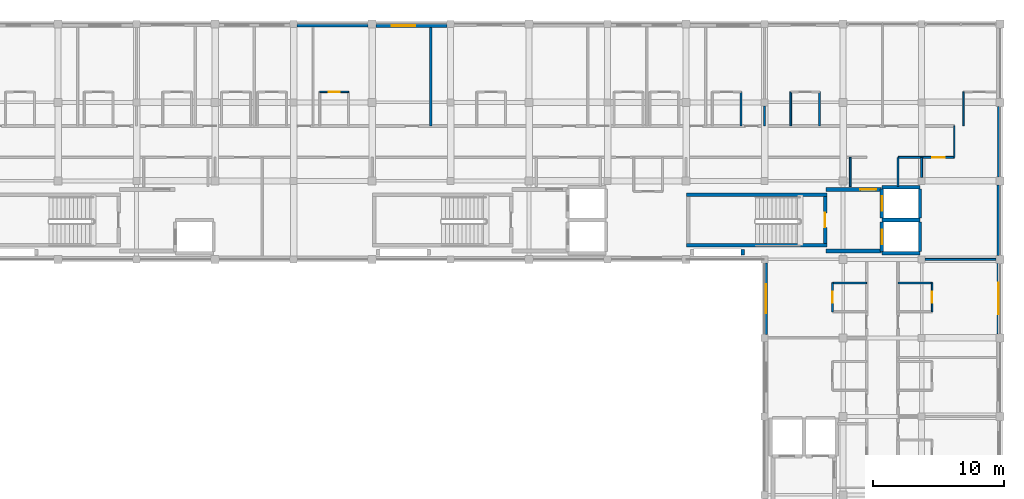
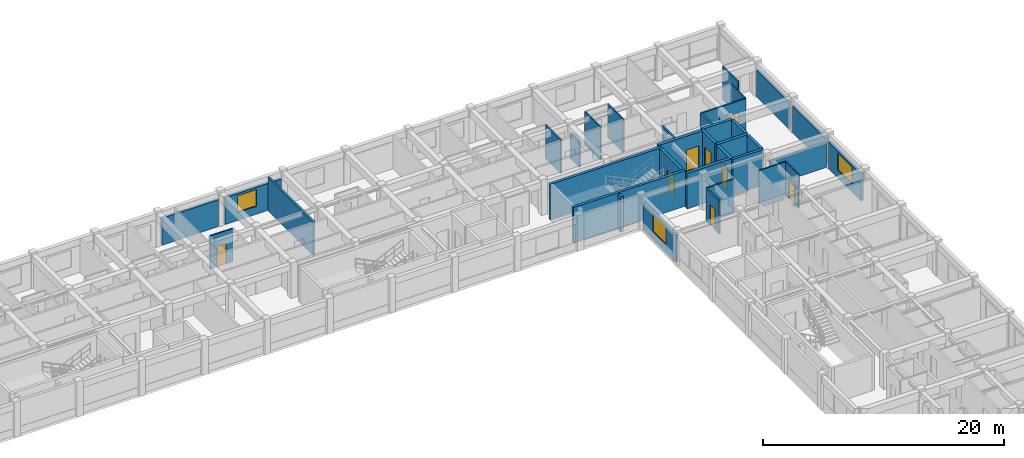
# One storey, part 17 of 25: 36 walls, 8 doors, 3 windows, 11 openings.
"""IFC4 building model written with IfcOpenShell, lengths in metres."""

from ifc_helpers import new_model, si_unit, direction, frame, frame_2d, origin, place, context, subcontext, project, spatial, rectangle, extrude, material, layer, layer_set, type_object, element, fill, save


model = new_model("IFC4")

# Units and contexts
model_context = context("Model", 3, precision=1e-05, world=origin(), true_north=direction((0.0, 1.0)))
body_context = subcontext(model_context, "Body", "Model", "MODEL_VIEW")
ifc_project = project(units=[si_unit("LENGTHUNIT", "METRE"), si_unit("AREAUNIT", "SQUARE_METRE"), si_unit("VOLUMEUNIT", "CUBIC_METRE"), si_unit("PLANEANGLEUNIT", "RADIAN"), si_unit("MASSUNIT", "GRAM", prefix="KILO"), si_unit("THERMODYNAMICTEMPERATUREUNIT", "KELVIN"), si_unit("POWERUNIT", "WATT")], contexts=[model_context])

# Site, building, storey
site_placement = place(None, origin())
site = spatial("IfcSite", under=ifc_project, at=site_placement, CompositionType="ELEMENT")
building_placement = place(site_placement, origin())
building = spatial("IfcBuilding", under=site, at=building_placement, Name="Phaisarnlok Congress Hotel", CompositionType="ELEMENT")
storey_placement = place(building_placement, frame((0.0, 0.0, 24.60009765625)))
storey = spatial("IfcBuildingStorey", under=building, at=storey_placement, Name="L05", CompositionType="ELEMENT", Elevation=24.60009765625)

# Wall
ifc_material_1 = material(Name="Concrete C40/50", Category="concrete")
ifc_layer_1 = layer(ifc_material_1, 0.2099609375, Name="Concrete C40/50")
ifc_layer_set_1 = layer_set([ifc_layer_1], Name="Concrete C40/50")
wall_type_1 = type_object("IfcWallType", Name="WL-EXT-210", PredefinedType="SOLIDWALL", material=ifc_layer_set_1)
wall_1_placement = place(storey_placement, frame((179.89501953125, 114.304931640625, 0.0), z_axis=(0.0, 0.0, 1.0), x_axis=(0.0, 1.0, 0.0)))
element("IfcWall", 1, at=wall_1_placement, inside=storey, type_object=wall_type_1, Name="Exterior wall EW-07 (L05)", PredefinedType="SOLIDWALL", context=body_context, shape_type="SweptSolid", body=[
    extrude(rectangle(XDim=5.39013671875, YDim=0.2099609375, at=frame_2d((2.695068359375, 0.0))), origin(), (0.0, 0.0, 1.0), 2.72998046875),
])

# Wall, opening, window
wall_2_placement = place(storey_placement, frame((162.10498046875, 107.719970703125, 0.0), z_axis=(0.0, 0.0, 1.0), x_axis=(0.0, -1.0, 0.0)))
wall_2 = element("IfcWall", 2, at=wall_2_placement, inside=storey, type_object=wall_type_1, Name="Exterior wall EW-07 (L05)", PredefinedType="SOLIDWALL", context=body_context, shape_type="SweptSolid", body=[
    extrude(rectangle(XDim=5.43994140625, YDim=0.2099609375, at=frame_2d((2.719970703125, 0.0))), origin(), (0.0, 0.0, 1.0), 2.72998046875),
])
opening_1_placement = place(wall_2_placement, frame((1.6201171875, 0.0, 0.800048828125)))
opening_1 = element("IfcOpeningElement", 3, at=opening_1_placement, cuts=wall_2, Name="Opening W-02", PredefinedType="OPENING", context=body_context, shape_type="SweptSolid", body=[
    extrude(rectangle(XDim=2.199951171875, YDim=1.75, at=frame_2d((1.10009765625, 0.875))), frame((0.0, 0.114990234375, 0.0), z_axis=(0.0, -1.0, 0.0), x_axis=(1.0, 0.0, 0.0)), (0.0, 0.0, 1.0), 0.22998046875),
])
ifc_material_2 = material(Name="Thermally Broken Aluminium & Low-E Double Glazing", Category="aluminium")
window_type_1 = type_object("IfcWindowType", Name="WIN-HOTEL-2200", PartitioningType="SINGLE_PANEL", PredefinedType="WINDOW", material=ifc_material_2)
window_1_placement = place(opening_1_placement, origin())
window_1 = element("IfcWindow", 4, at=window_1_placement, inside=storey, type_object=window_type_1, Name="Guestroom window W-02 (L05)", OverallHeight=1.75, OverallWidth=2.199951171875, PartitioningType="SINGLE_PANEL", PredefinedType="WINDOW", context=body_context, shape_type="SweptSolid", body=[
    extrude(rectangle(XDim=2.199951171875, YDim=1.75, at=frame_2d((1.10009765625, 0.875))), frame((0.0, 0.030029296875, 0.0), z_axis=(0.0, -1.0, 0.0), x_axis=(1.0, 0.0, 0.0)), (0.0, 0.0, 1.0), 0.06005859375),
])
fill(opening_1, window_1)

# Wall
ifc_layer_2 = layer(ifc_material_1, 0.22998046875, Name="Concrete C40/50")
ifc_layer_set_2 = layer_set([ifc_layer_2], Name="Concrete C40/50")
wall_type_2 = type_object("IfcWallType", Name="WL-EXT-230", PredefinedType="SOLIDWALL", material=ifc_layer_set_2)
wall_3_placement = place(storey_placement, frame((179.885009765625, 108.304931640625, 0.0), z_axis=(0.0, 0.0, 1.0), x_axis=(0.0, 1.0, 0.0)))
element("IfcWall", 5, at=wall_3_placement, inside=storey, type_object=wall_type_2, Name="Exterior wall EW-06 (L05)", PredefinedType="SOLIDWALL", context=body_context, shape_type="SweptSolid", body=[
    extrude(rectangle(XDim=5.39013671875, YDim=0.22998046875, at=frame_2d((2.695068359375, 0.0))), origin(), (0.0, 0.0, 1.0), 2.72998046875),
])

# Wall, opening, window
ifc_layer_3 = layer(ifc_material_1, 0.25, Name="Concrete C40/50")
ifc_layer_set_3 = layer_set([ifc_layer_3], Name="Concrete C40/50")
wall_type_3 = type_object("IfcWallType", Name="WL-EXT-250", PredefinedType="SOLIDWALL", material=ifc_layer_set_3)
wall_4_placement = place(storey_placement, frame((179.875, 102.304931640625, 0.0), z_axis=(0.0, 0.0, 1.0), x_axis=(0.0, 1.0, 0.0)))
wall_4 = element("IfcWall", 6, at=wall_4_placement, inside=storey, type_object=wall_type_3, Name="Exterior wall EW-05 (L05)", PredefinedType="SOLIDWALL", context=body_context, shape_type="SweptSolid", body=[
    extrude(rectangle(XDim=5.39013671875, YDim=0.25, at=frame_2d((2.695068359375, 0.0))), origin(), (0.0, 0.0, 1.0), 2.72998046875),
])
opening_2_placement = place(wall_4_placement, frame((1.4951171875, 0.0, 0.800048828125)))
opening_2 = element("IfcOpeningElement", 7, at=opening_2_placement, cuts=wall_4, Name="Opening W-01", PredefinedType="OPENING", context=body_context, shape_type="SweptSolid", body=[
    extrude(rectangle(XDim=2.39990234375, YDim=1.75, at=frame_2d((1.199951171875, 0.875))), frame((0.0, 0.135009765625, 0.0), z_axis=(0.0, -1.0, 0.0), x_axis=(1.0, 0.0, 0.0)), (0.0, 0.0, 1.0), 0.27001953125),
])
window_type_2 = type_object("IfcWindowType", Name="WIN-HOTEL-2400", PartitioningType="SINGLE_PANEL", PredefinedType="WINDOW", material=ifc_material_2)
window_2_placement = place(opening_2_placement, origin())
window_2 = element("IfcWindow", 8, at=window_2_placement, inside=storey, type_object=window_type_2, Name="Guestroom window W-01 (L05)", OverallHeight=1.75, OverallWidth=2.39990234375, PartitioningType="SINGLE_PANEL", PredefinedType="WINDOW", context=body_context, shape_type="SweptSolid", body=[
    extrude(rectangle(XDim=2.39990234375, YDim=1.75, at=frame_2d((1.199951171875, 0.875))), frame((0.0, 0.030029296875, 0.0), z_axis=(0.0, -1.0, 0.0), x_axis=(1.0, 0.0, 0.0)), (0.0, 0.0, 1.0), 0.06005859375),
])
fill(opening_2, window_2)

# Wall
wall_5_placement = place(storey_placement, frame((131.695068359375, 125.875, 0.0), z_axis=(0.0, 0.0, 1.0), x_axis=(-1.0, 0.0, 0.0)))
element("IfcWall", 9, at=wall_5_placement, inside=storey, type_object=wall_type_3, Name="Exterior wall EW-05 (L05)", PredefinedType="SOLIDWALL", context=body_context, shape_type="SweptSolid", body=[
    extrude(rectangle(XDim=5.4150390625, YDim=0.25, at=frame_2d((2.70751953125, 0.0))), origin(), (0.0, 0.0, 1.0), 2.72998046875),
])

# Wall, opening, window
ifc_layer_4 = layer(ifc_material_1, 0.27001953125, Name="Concrete C40/50")
ifc_layer_set_4 = layer_set([ifc_layer_4], Name="Concrete C40/50")
wall_type_4 = type_object("IfcWallType", Name="WL-EXT-270", PredefinedType="SOLIDWALL", material=ifc_layer_set_4)
wall_6_placement = place(storey_placement, frame((137.719970703125, 125.864990234375, 0.0), z_axis=(0.0, 0.0, 1.0), x_axis=(-1.0, 0.0, 0.0)))
wall_6 = element("IfcWall", 10, at=wall_6_placement, inside=storey, type_object=wall_type_4, Name="Exterior wall EW-04 (L05)", PredefinedType="SOLIDWALL", context=body_context, shape_type="SweptSolid", body=[
    extrude(rectangle(XDim=5.4150390625, YDim=0.27001953125, at=frame_2d((2.70751953125, 0.0))), origin(), (0.0, 0.0, 1.0), 2.72998046875),
])
opening_3_placement = place(wall_6_placement, frame((2.406982421875, 0.0, 0.800048828125)))
opening_3 = element("IfcOpeningElement", 11, at=opening_3_placement, cuts=wall_6, Name="Opening W-10", PredefinedType="OPENING", context=body_context, shape_type="SweptSolid", body=[
    extrude(rectangle(XDim=1.800048828125, YDim=1.699951171875, at=frame_2d((0.89990234375, 0.85009765625))), frame((0.0, 0.14501953125, 0.0), z_axis=(0.0, -1.0, 0.0), x_axis=(1.0, 0.0, 0.0)), (0.0, 0.0, 1.0), 0.2900390625),
])
window_type_3 = type_object("IfcWindowType", Name="WIN-POD-1800", PartitioningType="SINGLE_PANEL", PredefinedType="WINDOW", material=ifc_material_2)
window_3_placement = place(opening_3_placement, origin())
window_3 = element("IfcWindow", 12, at=window_3_placement, inside=storey, type_object=window_type_3, Name="Guestroom window W-10 (L05)", OverallHeight=1.699951171875, OverallWidth=1.800048828125, PartitioningType="SINGLE_PANEL", PredefinedType="WINDOW", context=body_context, shape_type="SweptSolid", body=[
    extrude(rectangle(XDim=1.800048828125, YDim=1.699951171875, at=frame_2d((0.89990234375, 0.85009765625))), frame((0.0, 0.030029296875, 0.0), z_axis=(0.0, -1.0, 0.0), x_axis=(1.0, 0.0, 0.0)), (0.0, 0.0, 1.0), 0.06005859375),
])
fill(opening_3, window_3)

# Walls
ifc_material_3 = material(Name="Service Riser Shaftwall Partition", Category="gypsum")
ifc_layer_5 = layer(ifc_material_3, 0.10498046875, Name="Service Riser Shaftwall Partition")
ifc_layer_set_5 = layer_set([ifc_layer_5], Name="Service Riser Shaftwall Partition")
wall_type_5 = type_object("IfcWallType", Name="WL-INT-105", PredefinedType="PARTITIONING", material=ifc_layer_set_5)
wall_7_placement = place(storey_placement, frame((176.5, 115.800048828125, 0.0), z_axis=(0.0, 0.0, 1.0), x_axis=(0.0, 1.0, 0.0)))
element("IfcWall", 13, at=wall_7_placement, inside=storey, type_object=wall_type_5, Name="Interior partition wall IW-08 (L05)", PredefinedType="PARTITIONING", context=body_context, shape_type="SweptSolid", body=[
    extrude(rectangle(XDim=2.39990234375, YDim=0.10498046875, at=frame_2d((1.199951171875, 0.0))), origin(), (0.0, 0.0, 1.0), 3.3798828125),
])
ifc_material_4 = material(Name="Lightweight Metal-Stud Gypsum Partition", Category="gypsum")
ifc_layer_6 = layer(ifc_material_4, 0.1201171875, Name="Lightweight Metal-Stud Gypsum Partition")
ifc_layer_set_6 = layer_set([ifc_layer_6], Name="Lightweight Metal-Stud Gypsum Partition")
wall_type_6 = type_object("IfcWallType", Name="WL-INT-120", PredefinedType="PARTITIONING", material=ifc_layer_set_6)
wall_8_placement = place(storey_placement, frame((164.0, 118.199951171875, 0.0), z_axis=(0.0, 0.0, 1.0), x_axis=(0.0, 1.0, 0.0)))
element("IfcWall", 14, at=wall_8_placement, inside=storey, type_object=wall_type_6, Name="Interior partition wall IW-07 (L05)", PredefinedType="PARTITIONING", context=body_context, shape_type="SweptSolid", body=[
    extrude(rectangle(XDim=2.60009765625, YDim=0.1201171875, at=frame_2d((1.300048828125, 0.0))), origin(), (0.0, 0.0, 1.0), 3.3798828125),
])

# Wall, opening, door
wall_9_placement = place(storey_placement, frame((174.800048828125, 104.0, 0.0), z_axis=(0.0, 0.0, 1.0), x_axis=(0.0, 1.0, 0.0)))
wall_9 = element("IfcWall", 15, at=wall_9_placement, inside=storey, type_object=wall_type_6, Name="Interior partition wall IW-07 (L05)", PredefinedType="PARTITIONING", context=body_context, shape_type="SweptSolid", body=[
    extrude(rectangle(XDim=2.199951171875, YDim=0.1201171875, at=frame_2d((1.10009765625, 0.0))), origin(), (0.0, 0.0, 1.0), 3.3798828125),
])
opening_4_placement = place(wall_9_placement, frame((0.675048828125, 0.0, 0.0)))
opening_4 = element("IfcOpeningElement", 16, at=opening_4_placement, cuts=wall_9, Name="Opening D-0207", PredefinedType="OPENING", context=body_context, shape_type="SweptSolid", body=[
    extrude(rectangle(XDim=0.85009765625, YDim=2.10009765625, at=frame_2d((0.425048828125, 1.050048828125))), frame((0.0, 0.070068359375, 0.0), z_axis=(0.0, -1.0, 0.0), x_axis=(1.0, 0.0, 0.0)), (0.0, 0.0, 1.0), 0.14013671875),
])
ifc_material_5 = material(Name="Moisture-Resistant Lacquered Timber", Category="wood")
door_type_1 = type_object("IfcDoorType", Name="DR-BATH-850", OperationType="NOTDEFINED", PredefinedType="DOOR", material=ifc_material_5)
door_1_placement = place(opening_4_placement, origin())
door_1 = element("IfcDoor", 17, at=door_1_placement, inside=storey, type_object=door_type_1, Name="Interior door D-0207 (L05)", OperationType="SINGLE_SWING_LEFT", OverallHeight=2.10009765625, OverallWidth=0.85009765625, PredefinedType="DOOR", context=body_context, shape_type="SweptSolid", body=[
    extrude(rectangle(XDim=0.85009765625, YDim=2.10009765625, at=frame_2d((0.425048828125, 1.050048828125))), frame((0.0, 0.02490234375, 0.0), z_axis=(0.0, -1.0, 0.0), x_axis=(1.0, 0.0, 0.0)), (0.0, 0.0, 1.0), 0.050048828125),
])
fill(opening_4, door_1)

# Walls
for number, where, z_axis, x_axis, name in (
    (18, (177.199951171875, 118.199951171875, 0.0), (0.0, 0.0, 1.0), (0.0, 1.0, 0.0), "Interior partition wall IW-07 (L05)"),
    (19, (172.199951171875, 106.199951171875, 0.0), (0.0, 0.0, 1.0), (1.0, 0.0, 0.0), "Interior partition wall IW-07 (L05)"),
):
    element("IfcWall", number, at=place(storey_placement, frame(where, z_axis=z_axis, x_axis=x_axis)), inside=storey, type_object=wall_type_6, Name=name, PredefinedType="PARTITIONING", context=body_context, shape_type="SweptSolid", body=[
        extrude(rectangle(XDim=2.60009765625, YDim=0.1201171875, at=frame_2d((1.300048828125, 0.0))), origin(), (0.0, 0.0, 1.0), 3.3798828125),
    ])

# Wall, opening, door
wall_10_placement = place(storey_placement, frame((128.0, 120.800048828125, 0.0), z_axis=(0.0, 0.0, 1.0), x_axis=(1.0, 0.0, 0.0)))
wall_10 = element("IfcWall", 20, at=wall_10_placement, inside=storey, type_object=wall_type_6, Name="Interior partition wall IW-07 (L05)", PredefinedType="PARTITIONING", context=body_context, shape_type="SweptSolid", body=[
    extrude(rectangle(XDim=2.199951171875, YDim=0.1201171875, at=frame_2d((1.10009765625, 0.0))), origin(), (0.0, 0.0, 1.0), 3.3798828125),
])
opening_5_placement = place(wall_10_placement, frame((0.675048828125, 0.0, 0.0)))
opening_5 = element("IfcOpeningElement", 21, at=opening_5_placement, cuts=wall_10, Name="Opening D-0167", PredefinedType="OPENING", context=body_context, shape_type="SweptSolid", body=[
    extrude(rectangle(XDim=0.85009765625, YDim=2.10009765625, at=frame_2d((0.425048828125, 1.050048828125))), frame((0.0, 0.070068359375, 0.0), z_axis=(0.0, -1.0, 0.0), x_axis=(1.0, 0.0, 0.0)), (0.0, 0.0, 1.0), 0.14013671875),
])
door_2_placement = place(opening_5_placement, origin())
door_2 = element("IfcDoor", 22, at=door_2_placement, inside=storey, type_object=door_type_1, Name="Interior door D-0167 (L05)", OperationType="SINGLE_SWING_LEFT", OverallHeight=2.10009765625, OverallWidth=0.85009765625, PredefinedType="DOOR", context=body_context, shape_type="SweptSolid", body=[
    extrude(rectangle(XDim=0.85009765625, YDim=2.10009765625, at=frame_2d((0.425048828125, 1.050048828125))), frame((0.0, 0.02490234375, 0.0), z_axis=(0.0, -1.0, 0.0), x_axis=(1.0, 0.0, 0.0)), (0.0, 0.0, 1.0), 0.050048828125),
])
fill(opening_5, door_2)

# Walls
ifc_material_6 = material(Name="Moisture-Resistant Gypsum Partition", Category="gypsum")
ifc_layer_7 = layer(ifc_material_6, 0.135009765625, Name="Moisture-Resistant Gypsum Partition")
ifc_layer_set_7 = layer_set([ifc_layer_7], Name="Moisture-Resistant Gypsum Partition")
wall_type_7 = type_object("IfcWallType", Name="WL-INT-135", PredefinedType="PARTITIONING", material=ifc_layer_set_7)
for number, where, z_axis, x_axis, name in (
    (23, (160.199951171875, 118.199951171875, 0.0), (0.0, 0.0, 1.0), (0.0, 1.0, 0.0), "Interior partition wall IW-06 (L05)"),
    (24, (166.199951171875, 118.199951171875, 0.0), (0.0, 0.0, 1.0), (0.0, 1.0, 0.0), "Interior partition wall IW-06 (L05)"),
):
    element("IfcWall", number, at=place(storey_placement, frame(where, z_axis=z_axis, x_axis=x_axis)), inside=storey, type_object=wall_type_7, Name=name, PredefinedType="PARTITIONING", context=body_context, shape_type="SweptSolid", body=[
        extrude(rectangle(XDim=2.60009765625, YDim=0.135009765625, at=frame_2d((1.300048828125, 0.0))), origin(), (0.0, 0.0, 1.0), 3.3798828125),
    ])

# Wall, opening, door
wall_11_placement = place(storey_placement, frame((167.199951171875, 104.0, 0.0), z_axis=(0.0, 0.0, 1.0), x_axis=(0.0, 1.0, 0.0)))
wall_11 = element("IfcWall", 25, at=wall_11_placement, inside=storey, type_object=wall_type_7, Name="Interior partition wall IW-06 (L05)", PredefinedType="PARTITIONING", context=body_context, shape_type="SweptSolid", body=[
    extrude(rectangle(XDim=2.199951171875, YDim=0.135009765625, at=frame_2d((1.10009765625, 0.0))), origin(), (0.0, 0.0, 1.0), 3.3798828125),
])
opening_6_placement = place(wall_11_placement, frame((0.675048828125, 0.0, 0.0)))
opening_6 = element("IfcOpeningElement", 26, at=opening_6_placement, cuts=wall_11, Name="Opening D-0224", PredefinedType="OPENING", context=body_context, shape_type="SweptSolid", body=[
    extrude(rectangle(XDim=0.85009765625, YDim=2.10009765625, at=frame_2d((0.425048828125, 1.050048828125))), frame((0.0, 0.07763671875, 0.0), z_axis=(0.0, -1.0, 0.0), x_axis=(1.0, 0.0, 0.0)), (0.0, 0.0, 1.0), 0.155029296875),
])
door_3_placement = place(opening_6_placement, origin())
door_3 = element("IfcDoor", 27, at=door_3_placement, inside=storey, type_object=door_type_1, Name="Interior door D-0224 (L05)", OperationType="SINGLE_SWING_RIGHT", OverallHeight=2.10009765625, OverallWidth=0.85009765625, PredefinedType="DOOR", context=body_context, shape_type="SweptSolid", body=[
    extrude(rectangle(XDim=0.85009765625, YDim=2.10009765625, at=frame_2d((0.425048828125, 1.050048828125))), frame((0.0, 0.02490234375, 0.0), z_axis=(0.0, -1.0, 0.0), x_axis=(1.0, 0.0, 0.0)), (0.0, 0.0, 1.0), 0.050048828125),
])
fill(opening_6, door_3)

# Walls
wall_12_placement = place(storey_placement, frame((167.199951171875, 106.199951171875, 0.0), z_axis=(0.0, 0.0, 1.0), x_axis=(1.0, 0.0, 0.0)))
element("IfcWall", 28, at=wall_12_placement, inside=storey, type_object=wall_type_7, Name="Interior partition wall IW-06 (L05)", PredefinedType="PARTITIONING", context=body_context, shape_type="SweptSolid", body=[
    extrude(rectangle(XDim=2.60009765625, YDim=0.135009765625, at=frame_2d((1.300048828125, 0.0))), origin(), (0.0, 0.0, 1.0), 3.3798828125),
])
ifc_material_7 = material(Name="Acoustic Gypsum Board & Mineral Wool", Category="gypsum")
ifc_layer_8 = layer(ifc_material_7, 0.14990234375, Name="Acoustic Gypsum Board & Mineral Wool")
ifc_layer_set_8 = layer_set([ifc_layer_8], Name="Acoustic Gypsum Board & Mineral Wool")
wall_type_8 = type_object("IfcWallType", Name="WL-INT-150", PredefinedType="PARTITIONING", material=ifc_layer_set_8)
wall_13_placement = place(storey_placement, frame((168.550048828125, 113.56005859375, 0.0), z_axis=(0.0, 0.0, 1.0), x_axis=(0.0, 1.0, 0.0)))
element("IfcWall", 29, at=wall_13_placement, inside=storey, type_object=wall_type_8, Name="Interior partition wall IW-05 (L05)", PredefinedType="PARTITIONING", context=body_context, shape_type="SweptSolid", body=[
    extrude(rectangle(XDim=2.239990234375, YDim=0.14990234375, at=frame_2d((1.1201171875, 0.0))), origin(), (0.0, 0.0, 1.0), 3.3798828125),
])
wall_14_placement = place(storey_placement, frame((174.0, 114.280029296875, 0.0), z_axis=(0.0, 0.0, 1.0), x_axis=(0.0, 1.0, 0.0)))
element("IfcWall", 30, at=wall_14_placement, inside=storey, type_object=wall_type_8, Name="Interior partition wall IW-05 (L05)", PredefinedType="PARTITIONING", context=body_context, shape_type="SweptSolid", body=[
    extrude(rectangle(XDim=1.52001953125, YDim=0.14990234375, at=frame_2d((0.760009765625, 0.0))), origin(), (0.0, 0.0, 1.0), 2.579833984375),
])
wall_15_placement = place(storey_placement, frame((174.280029296875, 108.0, 0.0), z_axis=(0.0, 0.0, 1.0), x_axis=(1.0, 0.0, 0.0)))
element("IfcWall", 31, at=wall_15_placement, inside=storey, type_object=wall_type_8, Name="Interior partition wall IW-05 (L05)", PredefinedType="PARTITIONING", context=body_context, shape_type="SweptSolid", body=[
    extrude(rectangle(XDim=5.4150390625, YDim=0.14990234375, at=frame_2d((2.70751953125, 0.0))), origin(), (0.0, 0.0, 1.0), 2.579833984375),
])

# Wall, opening, door
wall_16_placement = place(storey_placement, frame((172.199951171875, 115.800048828125, 0.0), z_axis=(0.0, 0.0, 1.0), x_axis=(1.0, 0.0, 0.0)))
wall_16 = element("IfcWall", 32, at=wall_16_placement, inside=storey, type_object=wall_type_8, Name="Interior partition wall IW-05 (L05)", PredefinedType="PARTITIONING", context=body_context, shape_type="SweptSolid", body=[
    extrude(rectangle(XDim=4.300048828125, YDim=0.14990234375, at=frame_2d((2.14990234375, 0.0))), origin(), (0.0, 0.0, 1.0), 3.3798828125),
])
opening_7_placement = place(wall_16_placement, frame((2.6201171875, 0.0, 0.0)))
opening_7 = element("IfcOpeningElement", 33, at=opening_7_placement, cuts=wall_16, Name="Opening D-0209", PredefinedType="OPENING", context=body_context, shape_type="SweptSolid", body=[
    extrude(rectangle(XDim=0.9599609375, YDim=2.14990234375, at=frame_2d((0.47998046875, 1.074951171875))), frame((0.0, 0.0849609375, 0.0), z_axis=(0.0, -1.0, 0.0), x_axis=(1.0, 0.0, 0.0)), (0.0, 0.0, 1.0), 0.169921875),
])
ifc_material_8 = material(Name="Fire-Rated Steel Frame & Timber Leaf", Category="steel")
door_type_2 = type_object("IfcDoorType", Name="DR-FD60-950", OperationType="NOTDEFINED", PredefinedType="DOOR", material=ifc_material_8)
door_4_placement = place(opening_7_placement, origin())
door_4 = element("IfcDoor", 34, at=door_4_placement, inside=storey, type_object=door_type_2, Name="Interior door D-0209 (L05)", OperationType="SINGLE_SWING_LEFT", OverallHeight=2.14990234375, OverallWidth=0.9599609375, PredefinedType="DOOR", context=body_context, shape_type="SweptSolid", body=[
    extrude(rectangle(XDim=0.9599609375, YDim=2.14990234375, at=frame_2d((0.47998046875, 1.074951171875))), frame((0.0, 0.02490234375, 0.0), z_axis=(0.0, -1.0, 0.0), x_axis=(1.0, 0.0, 0.0)), (0.0, 0.0, 1.0), 0.050048828125),
])
fill(opening_7, door_4)

# Walls
ifc_material_9 = material(Name="Double-Stud Acoustic Gypsum Partition", Category="gypsum")
ifc_layer_9 = layer(ifc_material_9, 0.159912109375, Name="Double-Stud Acoustic Gypsum Partition")
ifc_layer_set_9 = layer_set([ifc_layer_9], Name="Double-Stud Acoustic Gypsum Partition")
wall_type_9 = type_object("IfcWallType", Name="WL-INT-160", PredefinedType="PARTITIONING", material=ifc_layer_set_9)
wall_17_placement = place(storey_placement, frame((172.199951171875, 113.56005859375, 0.0), z_axis=(0.0, 0.0, 1.0), x_axis=(0.0, 1.0, 0.0)))
element("IfcWall", 35, at=wall_17_placement, inside=storey, type_object=wall_type_9, Name="Interior partition wall IW-04 (L05)", PredefinedType="PARTITIONING", context=body_context, shape_type="SweptSolid", body=[
    extrude(rectangle(XDim=2.239990234375, YDim=0.159912109375, at=frame_2d((1.1201171875, 0.0))), origin(), (0.0, 0.0, 1.0), 3.3798828125),
])
ifc_material_10 = material(Name="Autoclaved Aerated Concrete Block", Category="concrete")
ifc_layer_10 = layer(ifc_material_10, 0.179931640625, Name="Autoclaved Aerated Concrete Block")
ifc_layer_set_10 = layer_set([ifc_layer_10], Name="Autoclaved Aerated Concrete Block")
wall_type_10 = type_object("IfcWallType", Name="WL-INT-180", PredefinedType="PARTITIONING", material=ifc_layer_set_10)
wall_18_placement = place(storey_placement, frame((162.0, 118.199951171875, 0.0), z_axis=(0.0, 0.0, 1.0), x_axis=(0.0, 1.0, 0.0)))
element("IfcWall", 36, at=wall_18_placement, inside=storey, type_object=wall_type_10, Name="Interior partition wall IW-03 (L05)", PredefinedType="PARTITIONING", context=body_context, shape_type="SweptSolid", body=[
    extrude(rectangle(XDim=1.52001953125, YDim=0.179931640625, at=frame_2d((0.760009765625, 0.0))), origin(), (0.0, 0.0, 1.0), 2.579833984375),
])
ifc_layer_11 = layer(ifc_material_10, 0.199951171875, Name="Autoclaved Aerated Concrete Block")
ifc_layer_set_11 = layer_set([ifc_layer_11], Name="Autoclaved Aerated Concrete Block")
wall_type_11 = type_object("IfcWallType", Name="WL-INT-200", PredefinedType="PARTITIONING", material=ifc_layer_set_11)
wall_19_placement = place(storey_placement, frame((136.5, 118.199951171875, 0.0), z_axis=(0.0, 0.0, 1.0), x_axis=(0.0, 1.0, 0.0)))
element("IfcWall", 37, at=wall_19_placement, inside=storey, type_object=wall_type_11, Name="Interior partition wall IW-02 (L05)", PredefinedType="PARTITIONING", context=body_context, shape_type="SweptSolid", body=[
    extrude(rectangle(XDim=7.525146484375, YDim=0.199951171875, at=frame_2d((3.7626953125, 0.0))), origin(), (0.0, 0.0, 1.0), 3.3798828125),
])
ifc_material_11 = material(Name="Concrete C50/60", Category="concrete")
ifc_layer_12 = layer(ifc_material_11, 0.260009765625, Name="Concrete C50/60")
ifc_layer_set_12 = layer_set([ifc_layer_12], Name="Concrete C50/60")
wall_type_12 = type_object("IfcWallType", Name="WL-SHR-260", PredefinedType="SHEAR", material=ifc_layer_set_12)
for number, where, z_axis, x_axis, name in (
    (38, (156.0400390625, 109.070068359375, 0.0), (0.0, 0.0, 1.0), (1.0, 0.0, 0.0), "Stair shaft shear wall SW-04 (CORE-1 L05)"),
    (39, (156.0400390625, 112.929931640625, 0.0), (0.0, 0.0, 1.0), (1.0, 0.0, 0.0), "Stair shaft shear wall SW-04 (CORE-1 L05)"),
):
    element("IfcWall", number, at=place(storey_placement, frame(where, z_axis=z_axis, x_axis=x_axis)), inside=storey, type_object=wall_type_12, Name=name, PredefinedType="SHEAR", context=body_context, shape_type="SweptSolid", body=[
        extrude(rectangle(XDim=10.719970703125, YDim=0.260009765625, at=frame_2d((5.35986328125, 0.0))), origin(), (0.0, 0.0, 1.0), 3.599853515625),
    ])

# Wall, opening, door
wall_20_placement = place(storey_placement, frame((166.6298828125, 109.199951171875, 0.0), z_axis=(0.0, 0.0, 1.0), x_axis=(0.0, 1.0, 0.0)))
wall_20 = element("IfcWall", 40, at=wall_20_placement, inside=storey, type_object=wall_type_12, Name="Stair shaft shear wall SW-04 (CORE-1 L05)", PredefinedType="SHEAR", context=body_context, shape_type="SweptSolid", body=[
    extrude(rectangle(XDim=3.60009765625, YDim=0.260009765625, at=frame_2d((1.800048828125, 0.0))), origin(), (0.0, 0.0, 1.0), 3.599853515625),
])
opening_8_placement = place(wall_20_placement, frame((1.25, 0.0, 0.0)))
opening_8 = element("IfcOpeningElement", 41, at=opening_8_placement, cuts=wall_20, Name="Opening FD-007", PredefinedType="OPENING", context=body_context, shape_type="SweptSolid", body=[
    extrude(rectangle(XDim=1.10009765625, YDim=2.14990234375, at=frame_2d((0.550048828125, 1.074951171875))), frame((0.0, 0.14013671875, 0.0), z_axis=(0.0, -1.0, 0.0), x_axis=(1.0, 0.0, 0.0)), (0.0, 0.0, 1.0), 0.280029296875),
])
door_type_3 = type_object("IfcDoorType", Name="DR-FD60-1100", OperationType="NOTDEFINED", PredefinedType="DOOR", material=ifc_material_8)
door_5_placement = place(opening_8_placement, origin())
door_5 = element("IfcDoor", 42, at=door_5_placement, inside=storey, type_object=door_type_3, Name="Stair enclosure fire door FD-007 (L05)", OperationType="SINGLE_SWING_RIGHT", OverallHeight=2.14990234375, OverallWidth=1.10009765625, PredefinedType="DOOR", context=body_context, shape_type="SweptSolid", body=[
    extrude(rectangle(XDim=1.10009765625, YDim=2.14990234375, at=frame_2d((0.550048828125, 1.074951171875))), frame((0.0, 0.02490234375, 0.0), z_axis=(0.0, -1.0, 0.0), x_axis=(1.0, 0.0, 0.0)), (0.0, 0.0, 1.0), 0.050048828125),
])
fill(opening_8, door_5)

# Walls
wall_21_placement = place(storey_placement, frame((170.969970703125, 108.469970703125, 0.0), z_axis=(0.0, 0.0, 1.0), x_axis=(1.0, 0.0, 0.0)))
element("IfcWall", 43, at=wall_21_placement, inside=storey, type_object=wall_type_12, Name="Lift shaft shear wall SW-04 (LF-FF1 L05)", PredefinedType="SHEAR", context=body_context, shape_type="SweptSolid", body=[
    extrude(rectangle(XDim=2.909912109375, YDim=0.260009765625, at=frame_2d((1.455078125, 0.0))), origin(), (0.0, 0.0, 1.0), 3.599853515625),
])
wall_22_placement = place(storey_placement, frame((173.8798828125, 108.60009765625, 0.0), z_axis=(0.0, 0.0, 1.0), x_axis=(0.0, 1.0, 0.0)))
element("IfcWall", 44, at=wall_22_placement, inside=storey, type_object=wall_type_12, Name="Lift shaft shear wall SW-04 (LF-FF1 L05)", PredefinedType="SHEAR", context=body_context, shape_type="SweptSolid", body=[
    extrude(rectangle(XDim=2.25, YDim=0.260009765625, at=frame_2d((1.125, 0.0))), origin(), (0.0, 0.0, 1.0), 3.599853515625),
])

# Wall, opening, door
wall_23_placement = place(storey_placement, frame((170.969970703125, 108.60009765625, 0.0), z_axis=(0.0, 0.0, 1.0), x_axis=(0.0, 1.0, 0.0)))
wall_23 = element("IfcWall", 45, at=wall_23_placement, inside=storey, type_object=wall_type_12, Name="Lift shaft front wall SW-04 (LF-FF1 L05)", PredefinedType="SHEAR", context=body_context, shape_type="SweptSolid", body=[
    extrude(rectangle(XDim=2.25, YDim=0.260009765625, at=frame_2d((1.125, 0.0))), origin(), (0.0, 0.0, 1.0), 3.599853515625),
])
opening_9_placement = place(wall_23_placement, frame((0.574951171875, 0.0, 0.0)))
opening_9 = element("IfcOpeningElement", 46, at=opening_9_placement, cuts=wall_23, Name="Opening LD-007", PredefinedType="OPENING", context=body_context, shape_type="SweptSolid", body=[
    extrude(rectangle(XDim=1.10009765625, YDim=2.199951171875, at=frame_2d((0.550048828125, 1.10009765625))), frame((0.0, 0.14013671875, 0.0), z_axis=(0.0, -1.0, 0.0), x_axis=(1.0, 0.0, 0.0)), (0.0, 0.0, 1.0), 0.280029296875),
])
ifc_material_12 = material(Name="Brushed Stainless Steel Grade 304", Category="steel")
door_type_4 = type_object("IfcDoorType", Name="DR-LD-1100", OperationType="DOUBLE_DOOR_SLIDING", PredefinedType="DOOR", material=ifc_material_12)
door_6_placement = place(opening_9_placement, origin())
door_6 = element("IfcDoor", 47, at=door_6_placement, inside=storey, type_object=door_type_4, Name="Lift landing sliding door LD-007 (LF-FF1 L05)", OperationType="DOUBLE_DOOR_SLIDING", OverallHeight=2.199951171875, OverallWidth=1.10009765625, PredefinedType="DOOR", context=body_context, shape_type="SweptSolid", body=[
    extrude(rectangle(XDim=1.10009765625, YDim=2.199951171875, at=frame_2d((0.550048828125, 1.10009765625))), frame((0.0, 0.02490234375, 0.0), z_axis=(0.0, -1.0, 0.0), x_axis=(1.0, 0.0, 0.0)), (0.0, 0.0, 1.0), 0.050048828125),
])
fill(opening_9, door_6)

# Walls
wall_24_placement = place(storey_placement, frame((170.969970703125, 113.530029296875, 0.0), z_axis=(0.0, 0.0, 1.0), x_axis=(1.0, 0.0, 0.0)))
element("IfcWall", 48, at=wall_24_placement, inside=storey, type_object=wall_type_12, Name="Lift shaft shear wall SW-04 (LF-HP1 L05)", PredefinedType="SHEAR", context=body_context, shape_type="SweptSolid", body=[
    extrude(rectangle(XDim=2.909912109375, YDim=0.260009765625, at=frame_2d((1.455078125, 0.0))), origin(), (0.0, 0.0, 1.0), 3.599853515625),
])
wall_25_placement = place(storey_placement, frame((173.8798828125, 111.14990234375, 0.0), z_axis=(0.0, 0.0, 1.0), x_axis=(0.0, 1.0, 0.0)))
element("IfcWall", 49, at=wall_25_placement, inside=storey, type_object=wall_type_12, Name="Lift shaft shear wall SW-04 (LF-HP1 L05)", PredefinedType="SHEAR", context=body_context, shape_type="SweptSolid", body=[
    extrude(rectangle(XDim=2.25, YDim=0.260009765625, at=frame_2d((1.125, 0.0))), origin(), (0.0, 0.0, 1.0), 3.599853515625),
])

# Wall, opening, door
wall_26_placement = place(storey_placement, frame((170.969970703125, 111.14990234375, 0.0), z_axis=(0.0, 0.0, 1.0), x_axis=(0.0, 1.0, 0.0)))
wall_26 = element("IfcWall", 50, at=wall_26_placement, inside=storey, type_object=wall_type_12, Name="Lift shaft front wall SW-04 (LF-HP1 L05)", PredefinedType="SHEAR", context=body_context, shape_type="SweptSolid", body=[
    extrude(rectangle(XDim=2.25, YDim=0.260009765625, at=frame_2d((1.125, 0.0))), origin(), (0.0, 0.0, 1.0), 3.599853515625),
])
opening_10_placement = place(wall_26_placement, frame((0.574951171875, 0.0, 0.0)))
opening_10 = element("IfcOpeningElement", 51, at=opening_10_placement, cuts=wall_26, Name="Opening LD-022", PredefinedType="OPENING", context=body_context, shape_type="SweptSolid", body=[
    extrude(rectangle(XDim=1.10009765625, YDim=2.199951171875, at=frame_2d((0.550048828125, 1.10009765625))), frame((0.0, 0.14013671875, 0.0), z_axis=(0.0, -1.0, 0.0), x_axis=(1.0, 0.0, 0.0)), (0.0, 0.0, 1.0), 0.280029296875),
])
door_7_placement = place(opening_10_placement, origin())
door_7 = element("IfcDoor", 52, at=door_7_placement, inside=storey, type_object=door_type_4, Name="Lift landing sliding door LD-022 (LF-HP1 L05)", OperationType="DOUBLE_DOOR_SLIDING", OverallHeight=2.199951171875, OverallWidth=1.10009765625, PredefinedType="DOOR", context=body_context, shape_type="SweptSolid", body=[
    extrude(rectangle(XDim=1.10009765625, YDim=2.199951171875, at=frame_2d((0.550048828125, 1.10009765625))), frame((0.0, 0.02490234375, 0.0), z_axis=(0.0, -1.0, 0.0), x_axis=(1.0, 0.0, 0.0)), (0.0, 0.0, 1.0), 0.050048828125),
])
fill(opening_10, door_7)

# Walls
wall_27_placement = place(storey_placement, frame((160.330078125, 108.330078125, 0.0), z_axis=(0.0, 0.0, 1.0), x_axis=(0.0, 1.0, 0.0)))
element("IfcWall", 53, at=wall_27_placement, inside=storey, type_object=wall_type_12, Name="Service riser shaft wall SW-04 (CORE-1 L05)", PredefinedType="SHEAR", context=body_context, shape_type="SweptSolid", body=[
    extrude(rectangle(XDim=0.43994140625, YDim=0.260009765625, at=frame_2d((0.219970703125, 0.0))), origin(), (0.0, 0.0, 1.0), 3.599853515625),
])
ifc_layer_13 = layer(ifc_material_11, 0.300048828125, Name="Concrete C50/60")
ifc_layer_set_13 = layer_set([ifc_layer_13], Name="Concrete C50/60")
wall_type_13 = type_object("IfcWallType", Name="WL-SHR-300", PredefinedType="SHEAR", material=ifc_layer_set_13)
wall_28_placement = place(storey_placement, frame((170.969970703125, 111.0, 0.0), z_axis=(0.0, 0.0, 1.0), x_axis=(1.0, 0.0, 0.0)))
element("IfcWall", 54, at=wall_28_placement, inside=storey, type_object=wall_type_13, Name="Lift shaft divider shear wall SW-03 (LF-FF1 L05)", PredefinedType="SHEAR", context=body_context, shape_type="SweptSolid", body=[
    extrude(rectangle(XDim=2.909912109375, YDim=0.300048828125, at=frame_2d((1.455078125, 0.0))), origin(), (0.0, 0.0, 1.0), 3.599853515625),
])

# Wall, opening, door
wall_29_placement = place(storey_placement, frame((166.679931640625, 113.35009765625, 0.0), z_axis=(0.0, 0.0, 1.0), x_axis=(1.0, 0.0, 0.0)))
wall_29 = element("IfcWall", 55, at=wall_29_placement, inside=storey, type_object=wall_type_13, Name="Core lobby EI-120 wall SW-03 (CORE-1 L05)", PredefinedType="SHEAR", context=body_context, shape_type="SweptSolid", body=[
    extrude(rectangle(XDim=4.239990234375, YDim=0.300048828125, at=frame_2d((2.1201171875, 0.0))), origin(), (0.0, 0.0, 1.0), 3.599853515625),
])
opening_11_placement = place(wall_29_placement, frame((2.64990234375, 0.0, 0.0)))
opening_11 = element("IfcOpeningElement", 56, at=opening_11_placement, cuts=wall_29, Name="Opening FD-022", PredefinedType="OPENING", context=body_context, shape_type="SweptSolid", body=[
    extrude(rectangle(XDim=1.199951171875, YDim=2.199951171875, at=frame_2d((0.60009765625, 1.10009765625))), frame((0.0, 0.16015625, 0.0), z_axis=(0.0, -1.0, 0.0), x_axis=(1.0, 0.0, 0.0)), (0.0, 0.0, 1.0), 0.320068359375),
])
door_type_5 = type_object("IfcDoorType", Name="DR-FD60-1200", OperationType="NOTDEFINED", PredefinedType="DOOR", material=ifc_material_8)
door_8_placement = place(opening_11_placement, origin())
door_8 = element("IfcDoor", 57, at=door_8_placement, inside=storey, type_object=door_type_5, Name="Firefighting lobby entrance door FD-022 (CORE-1 L05)", OperationType="SINGLE_SWING_LEFT", OverallHeight=2.199951171875, OverallWidth=1.199951171875, PredefinedType="DOOR", context=body_context, shape_type="SweptSolid", body=[
    extrude(rectangle(XDim=1.199951171875, YDim=2.199951171875, at=frame_2d((0.60009765625, 1.10009765625))), frame((0.0, 0.02490234375, 0.0), z_axis=(0.0, -1.0, 0.0), x_axis=(1.0, 0.0, 0.0)), (0.0, 0.0, 1.0), 0.050048828125),
])
fill(opening_11, door_8)

# Wall
wall_30_placement = place(storey_placement, frame((166.679931640625, 108.64990234375, 0.0), z_axis=(0.0, 0.0, 1.0), x_axis=(1.0, 0.0, 0.0)))
element("IfcWall", 58, at=wall_30_placement, inside=storey, type_object=wall_type_13, Name="Core lobby EI-120 wall SW-03 (CORE-1 L05)", PredefinedType="SHEAR", context=body_context, shape_type="SweptSolid", body=[
    extrude(rectangle(XDim=4.239990234375, YDim=0.300048828125, at=frame_2d((2.1201171875, 0.0))), origin(), (0.0, 0.0, 1.0), 3.599853515625),
])

save(model, "model.ifc")
